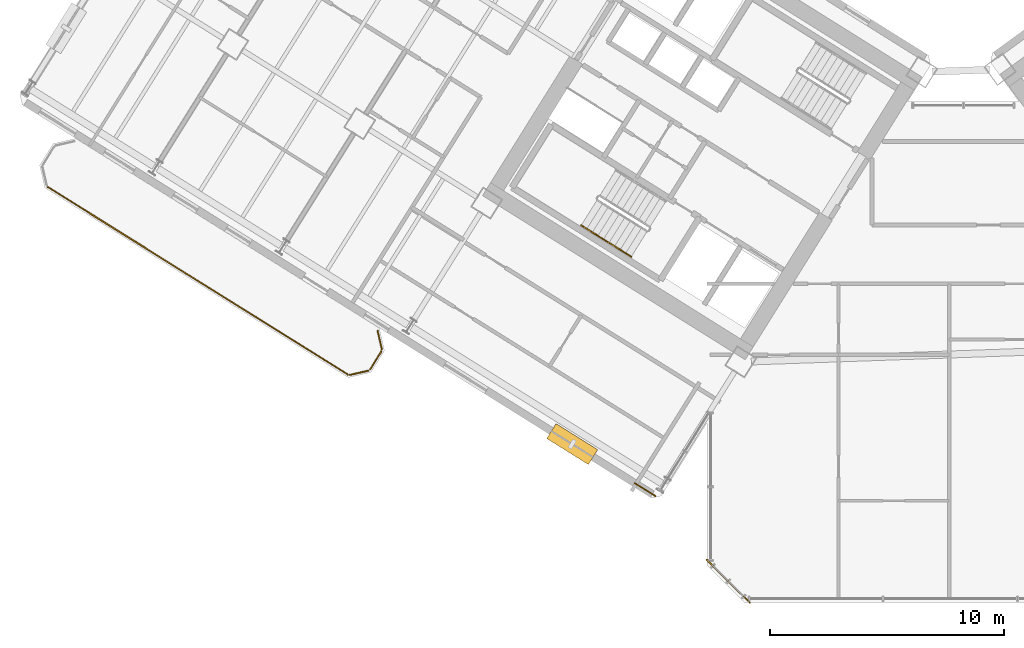
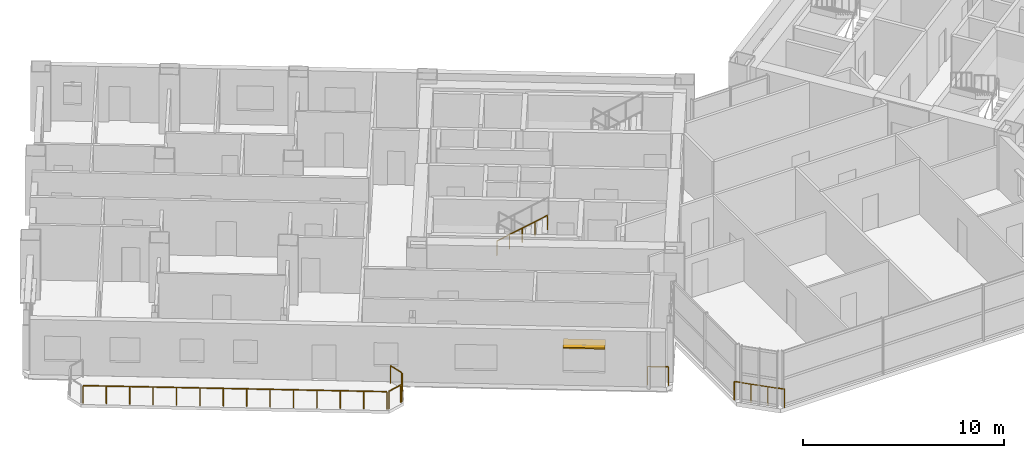
# One storey, part 22 of 25: 8 railings, 1 shading device.
"""IFC4 building model written with IfcOpenShell, lengths in metres."""

from ifc_helpers import new_model, si_unit, direction, frame, origin, origin_2d, place, context, subcontext, project, spatial, rectangle, extrude, source, transform, mapped, material, layer, layer_set, type_object, element, save


model = new_model("IFC4")

# Units and contexts
model_context = context("Model", 3, precision=1e-05, world=origin(), true_north=direction((0.0, 1.0)))
body_context = subcontext(model_context, "Body", "Model", "MODEL_VIEW")
ifc_project = project(units=[si_unit("LENGTHUNIT", "METRE"), si_unit("AREAUNIT", "SQUARE_METRE"), si_unit("VOLUMEUNIT", "CUBIC_METRE"), si_unit("PLANEANGLEUNIT", "RADIAN"), si_unit("MASSUNIT", "GRAM", prefix="KILO")], contexts=[model_context])

# Site, building, storey
site_placement = place(None, origin())
site = spatial("IfcSite", under=ifc_project, at=site_placement, CompositionType="ELEMENT")
building_placement = place(site_placement, origin())
building = spatial("IfcBuilding", under=site, at=building_placement, Name="Tlacorven Tower", CompositionType="ELEMENT")
storey_placement = place(building_placement, frame((0.0, 0.0, 52.800048828125)))
storey = spatial("IfcBuildingStorey", under=building, at=storey_placement, Name="L13", CompositionType="ELEMENT", Elevation=52.800048828125)

# Railings
ifc_material_1 = material(Name="Aluminium and painted steel balustrade", Category="steel")
railing_type_1 = type_object("IfcRailingType", Name="RL-BAL-1100", PredefinedType="BALUSTRADE", material=ifc_material_1)
shared_shape_1 = source(origin(), body_context, "Body", "SweptSolid", [
    extrude(rectangle(XDim=0.048095703125, YDim=0.048095703125, at=origin_2d()), frame((0.0, 0.0, 1.076171875), z_axis=(0.225058334816, -0.974345290916, 0.0), x_axis=(0.974345290916, 0.225058334816, 0.0)), (0.0, 0.0, 1.0), 0.80712890625),
    extrude(rectangle(XDim=0.0419921875, YDim=0.0419921875, at=origin_2d()), origin(), (0.0, 0.0, 1.0), 1.052001953125),
    extrude(rectangle(XDim=0.0419921875, YDim=0.0419921875, at=origin_2d()), frame((0.181640625, -0.786376953125, 0.0)), (0.0, 0.0, 1.0), 1.052001953125),
])
railing_1_placement = place(storey_placement, frame((17.5244140625, 13.413330078125, 0.0)))
element("IfcRailing", 1, at=railing_1_placement, inside=storey, type_object=railing_type_1, Name="BAL-L13-W-OUT Guard Railing 1", PredefinedType="BALUSTRADE", context=body_context, shape_type="MappedRepresentation", body=[
    mapped(shared_shape_1, transform((0.0, 0.0, 0.0), scale=1.0)),
])
shared_shape_2 = source(origin(), body_context, "Body", "SweptSolid", [
    extrude(rectangle(XDim=0.048095703125, YDim=0.048095703125, at=origin_2d()), frame((0.0, 0.0, 1.076171875), z_axis=(-0.52987865805, -0.848073468364, 0.0), x_axis=(0.848073468364, -0.52987865805, 0.0)), (0.0, 0.0, 1.0), 0.912353515625),
    extrude(rectangle(XDim=0.0419921875, YDim=0.0419921875, at=origin_2d()), origin(), (0.0, 0.0, 1.0), 1.052001953125),
    extrude(rectangle(XDim=0.0419921875, YDim=0.0419921875, at=origin_2d()), frame((-0.4833984375, -0.773681640625, 0.0)), (0.0, 0.0, 1.0), 1.052001953125),
])
railing_2_placement = place(storey_placement, frame((17.690673828125, 12.535888671875, 0.0)))
element("IfcRailing", 2, at=railing_2_placement, inside=storey, type_object=railing_type_1, Name="BAL-L13-W-OUT Guard Railing 2", PredefinedType="BALUSTRADE", context=body_context, shape_type="MappedRepresentation", body=[
    mapped(shared_shape_2, transform((0.0, 0.0, 0.0), scale=1.0)),
])
shared_shape_3 = source(origin(), body_context, "Body", "SweptSolid", [
    extrude(rectangle(XDim=0.048095703125, YDim=0.048095703125, at=origin_2d()), frame((0.0, 0.0, 1.076171875), z_axis=(-0.974411586182, -0.224771129628, 0.0), x_axis=(0.224771129628, -0.974411586182, 0.0)), (0.0, 0.0, 1.0), 0.80712890625),
    extrude(rectangle(XDim=0.0419921875, YDim=0.0419921875, at=origin_2d()), origin(), (0.0, 0.0, 1.0), 1.052001953125),
    extrude(rectangle(XDim=0.0419921875, YDim=0.0419921875, at=origin_2d()), frame((-0.786376953125, -0.181396484375, 0.0)), (0.0, 0.0, 1.0), 1.052001953125),
])
railing_3_placement = place(storey_placement, frame((17.132080078125, 11.70849609375, 0.0)))
element("IfcRailing", 3, at=railing_3_placement, inside=storey, type_object=railing_type_1, Name="BAL-L13-W-OUT Guard Railing 3", PredefinedType="BALUSTRADE", context=body_context, shape_type="MappedRepresentation", body=[
    mapped(shared_shape_3, transform((0.0, 0.0, 0.0), scale=1.0)),
])
shared_shape_4 = source(origin(), body_context, "Body", "SweptSolid", [
    extrude(rectangle(XDim=0.048095703125, YDim=0.048095703125, at=origin_2d()), frame((0.0, 0.0, 1.076171875), z_axis=(-0.848044572804, 0.529924902733, 0.0), x_axis=(-0.529924902733, -0.848044572804, 0.0)), (0.0, 0.0, 1.0), 15.1171875),
    extrude(rectangle(XDim=0.0419921875, YDim=0.0419921875, at=origin_2d()), origin(), (0.0, 0.0, 1.0), 1.052001953125),
    extrude(rectangle(XDim=0.0419921875, YDim=0.0419921875, at=origin_2d()), frame((-0.986083984375, 0.6162109375, 0.0)), (0.0, 0.0, 1.0), 1.052001953125),
    extrude(rectangle(XDim=0.0419921875, YDim=0.0419921875, at=origin_2d()), frame((-1.972412109375, 1.232421875, 0.0)), (0.0, 0.0, 1.0), 1.052001953125),
    extrude(rectangle(XDim=0.0419921875, YDim=0.0419921875, at=origin_2d()), frame((-2.95849609375, 1.8486328125, 0.0)), (0.0, 0.0, 1.0), 1.052001953125),
    extrude(rectangle(XDim=0.0419921875, YDim=0.0419921875, at=origin_2d()), frame((-3.944580078125, 2.46484375, 0.0)), (0.0, 0.0, 1.0), 1.052001953125),
    extrude(rectangle(XDim=0.0419921875, YDim=0.0419921875, at=origin_2d()), frame((-4.930908203125, 3.0810546875, 0.0)), (0.0, 0.0, 1.0), 1.052001953125),
    extrude(rectangle(XDim=0.0419921875, YDim=0.0419921875, at=origin_2d()), frame((-5.9169921875, 3.697265625, 0.0)), (0.0, 0.0, 1.0), 1.052001953125),
    extrude(rectangle(XDim=0.0419921875, YDim=0.0419921875, at=origin_2d()), frame((-6.903076171875, 4.313720703125, 0.0)), (0.0, 0.0, 1.0), 1.052001953125),
    extrude(rectangle(XDim=0.0419921875, YDim=0.0419921875, at=origin_2d()), frame((-7.88916015625, 4.929931640625, 0.0)), (0.0, 0.0, 1.0), 1.052001953125),
    extrude(rectangle(XDim=0.0419921875, YDim=0.0419921875, at=origin_2d()), frame((-8.87548828125, 5.546142578125, 0.0)), (0.0, 0.0, 1.0), 1.052001953125),
    extrude(rectangle(XDim=0.0419921875, YDim=0.0419921875, at=origin_2d()), frame((-9.861572265625, 6.162353515625, 0.0)), (0.0, 0.0, 1.0), 1.052001953125),
    extrude(rectangle(XDim=0.0419921875, YDim=0.0419921875, at=origin_2d()), frame((-10.84765625, 6.778564453125, 0.0)), (0.0, 0.0, 1.0), 1.052001953125),
    extrude(rectangle(XDim=0.0419921875, YDim=0.0419921875, at=origin_2d()), frame((-11.833984375, 7.394775390625, 0.0)), (0.0, 0.0, 1.0), 1.052001953125),
    extrude(rectangle(XDim=0.0419921875, YDim=0.0419921875, at=origin_2d()), frame((-12.820068359375, 8.010986328125, 0.0)), (0.0, 0.0, 1.0), 1.052001953125),
])
railing_4_placement = place(storey_placement, frame((16.254638671875, 11.542236328125, 0.0)))
element("IfcRailing", 4, at=railing_4_placement, inside=storey, type_object=railing_type_1, Name="BAL-L13-W-OUT Guard Railing 4", PredefinedType="BALUSTRADE", context=body_context, shape_type="MappedRepresentation", body=[
    mapped(shared_shape_4, transform((0.0, 0.0, 0.0), scale=1.0)),
])
railing_type_2 = type_object("IfcRailingType", Name="RL-GRD-1150", PredefinedType="GUARDRAIL", material=ifc_material_1)
shared_shape_5 = source(origin(), body_context, "Body", "SweptSolid", [
    extrude(rectangle(XDim=0.048095703125, YDim=0.048095703125, at=origin_2d()), frame((0.0, 0.0, 1.1259765625), z_axis=(-0.707106781187, 0.707106781187, 0.0), x_axis=(-0.707106781187, -0.707106781187, 0.0)), (0.0, 0.0, 1.0), 2.590087890625),
    extrude(rectangle(XDim=0.0419921875, YDim=0.0419921875, at=origin_2d()), origin(), (0.0, 0.0, 1.0), 1.101806640625),
    extrude(rectangle(XDim=0.0419921875, YDim=0.0419921875, at=origin_2d()), frame((-0.610595703125, 0.610595703125, 0.0)), (0.0, 0.0, 1.0), 1.101806640625),
    extrude(rectangle(XDim=0.0419921875, YDim=0.0419921875, at=origin_2d()), frame((-1.220947265625, 1.220947265625, 0.0)), (0.0, 0.0, 1.0), 1.101806640625),
    extrude(rectangle(XDim=0.0419921875, YDim=0.0419921875, at=origin_2d()), frame((-1.83154296875, 1.83154296875, 0.0)), (0.0, 0.0, 1.0), 1.101806640625),
])
railing_5_placement = place(storey_placement, frame((33.428955078125, 1.79736328125, 0.0)))
element("IfcRailing", 5, at=railing_5_placement, inside=storey, type_object=railing_type_2, Name="L13 Knuckle Glazed Sill Guard 1", PredefinedType="GUARDRAIL", context=body_context, shape_type="MappedRepresentation", body=[
    mapped(shared_shape_5, transform((0.0, 0.0, 0.0), scale=1.0)),
])
shared_shape_6 = source(origin(), body_context, "Body", "SweptSolid", [
    extrude(rectangle(XDim=0.048095703125, YDim=0.048095703125, at=origin_2d()), frame((0.0, 0.0, 1.1259765625), z_axis=(-0.848102774857, 0.529831749973, 0.0), x_axis=(-0.529831749973, -0.848102774857, 0.0)), (0.0, 0.0, 1.0), 1.050048828125),
    extrude(rectangle(XDim=0.0419921875, YDim=0.0419921875, at=origin_2d()), origin(), (0.0, 0.0, 1.0), 1.101806640625),
    extrude(rectangle(XDim=0.0419921875, YDim=0.0419921875, at=origin_2d()), frame((-0.890625, 0.556396484375, 0.0)), (0.0, 0.0, 1.0), 1.101806640625),
])
railing_6_placement = place(storey_placement, frame((29.39501953125, 6.35009765625, 0.0)))
element("IfcRailing", 6, at=railing_6_placement, inside=storey, type_object=railing_type_2, Name="L13 Knuckle Glazed Sill Guard 2", PredefinedType="GUARDRAIL", context=body_context, shape_type="MappedRepresentation", body=[
    mapped(shared_shape_6, transform((0.0, 0.0, 0.0), scale=1.0)),
])

# Shading device
ifc_material_2 = material(Name="Anodised bronze aluminium sunshade", Category="aluminium")
ifc_layer = layer(ifc_material_2, 0.080078125)
ifc_layer_set = layer_set([ifc_layer], Name="Anodised bronze aluminium sunshade")
shading_device_type = type_object("IfcShadingDeviceType", Name="SH-SUN-BRZ", PredefinedType="AWNING", material=ifc_layer_set)
shared_shape_7 = source(origin(), body_context, "Body", "SweptSolid", [
    extrude(rectangle(XDim=2.10009765625, YDim=0.75, at=origin_2d()), origin(), (0.0, 0.0, 1.0), 0.080078125),
])
shading_device_placement = place(storey_placement, frame((25.8427734375, 8.569580078125, 2.369873046875), z_axis=(0.0, 0.0, 1.0), x_axis=(-0.84804812172, 0.529919223323, 0.0)))
element("IfcShadingDevice", 7, at=shading_device_placement, inside=storey, type_object=shading_device_type, Name="L13 Solar Brise-Soleil Sunshade L13-01.1", PredefinedType="AWNING", context=body_context, shape_type="MappedRepresentation", body=[
    mapped(shared_shape_7, transform((0.0, 0.0, 0.0), scale=1.0)),
])

# Railings
railing_type_3 = type_object("IfcRailingType", Name="RL-HND-0900", PredefinedType="HANDRAIL", material=ifc_material_1)
shared_shape_8 = source(origin(), body_context, "Body", "SweptSolid", [
    extrude(rectangle(XDim=0.048095703125, YDim=0.048095703125, at=origin_2d()), frame((0.0, 0.0, 0.8759765625), z_axis=(0.713359751793, -0.4457479829, 0.540764828981), x_axis=(0.529911857636, 0.848052724267, 0.0)), (0.0, 0.0, 1.0), 1.498046875),
    extrude(rectangle(XDim=0.0419921875, YDim=0.0419921875, at=origin_2d()), origin(), (0.0, 0.0, 1.0), 0.851806640625),
    extrude(rectangle(XDim=0.0419921875, YDim=0.0419921875, at=origin_2d()), frame((0.5341796875, -0.333984375, 0.405029296875)), (0.0, 0.0, 1.0), 0.851806640625),
    extrude(rectangle(XDim=0.0419921875, YDim=0.0419921875, at=origin_2d()), frame((1.068603515625, -0.667724609375, 0.81005859375)), (0.0, 0.0, 1.0), 0.851806640625),
])
railing_7_placement = place(storey_placement, frame((26.228759765625, 17.915283203125, 1.97998046875)))
element("IfcRailing", 8, at=railing_7_placement, inside=storey, type_object=railing_type_3, Name="L13 ST-W1 stair handrail 3", PredefinedType="HANDRAIL", context=body_context, shape_type="MappedRepresentation", body=[
    mapped(shared_shape_8, transform((0.0, 0.0, 0.0), scale=1.0)),
])
shared_shape_9 = source(origin(), body_context, "Body", "SweptSolid", [
    extrude(rectangle(XDim=0.048095703125, YDim=0.048095703125, at=origin_2d()), frame((0.0, 0.0, 0.8759765625), z_axis=(0.713342573076, -0.445839108173, 0.540712366292), x_axis=(0.529998940003, 0.847998304005, 0.0)), (0.0, 0.0, 1.0), 1.49755859375),
    extrude(rectangle(XDim=0.0419921875, YDim=0.0419921875, at=origin_2d()), origin(), (0.0, 0.0, 1.0), 0.851806640625),
    extrude(rectangle(XDim=0.0419921875, YDim=0.0419921875, at=origin_2d()), frame((0.5341796875, -0.333984375, 0.40478515625)), (0.0, 0.0, 1.0), 0.851806640625),
    extrude(rectangle(XDim=0.0419921875, YDim=0.0419921875, at=origin_2d()), frame((1.068359375, -0.667724609375, 0.809814453125)), (0.0, 0.0, 1.0), 0.851806640625),
])
railing_8_placement = place(storey_placement, frame((27.29736328125, 17.24755859375, 2.7900390625)))
element("IfcRailing", 9, at=railing_8_placement, inside=storey, type_object=railing_type_3, Name="L13 ST-W1 stair handrail 4", PredefinedType="HANDRAIL", context=body_context, shape_type="MappedRepresentation", body=[
    mapped(shared_shape_9, transform((0.0, 0.0, 0.0), scale=1.0)),
])

save(model, "model.ifc")
